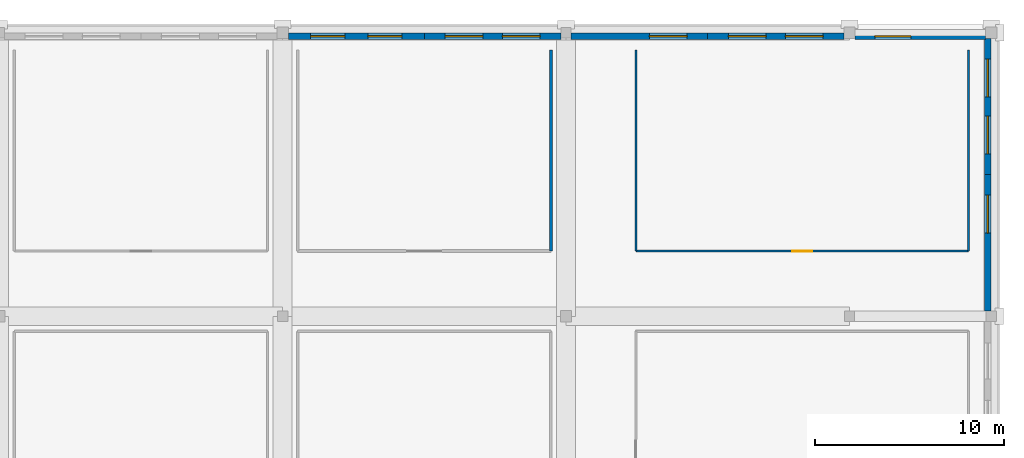
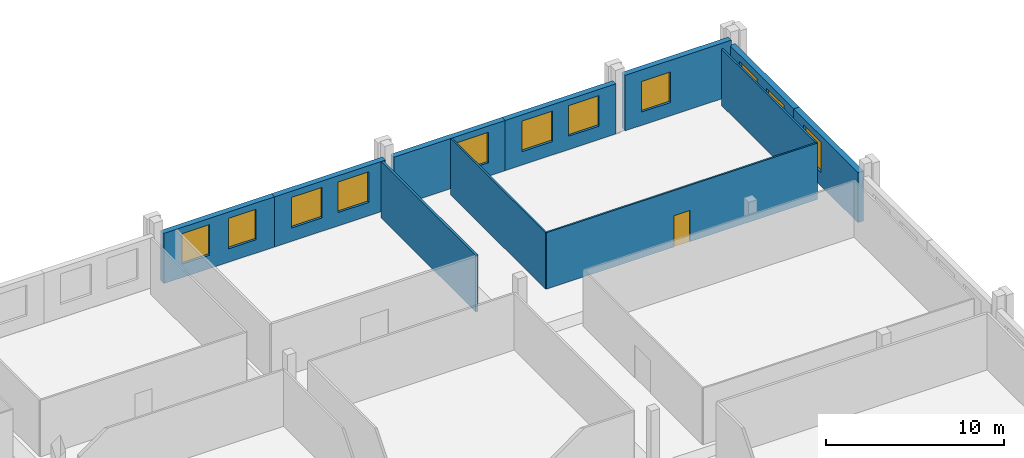
# One storey, part 55 of 68: 11 walls, 11 windows, 1 door, 12 openings.
"""IFC4 building model written with IfcOpenShell, lengths in metres."""

from ifc_helpers import new_model, si_unit, direction, frame, frame_2d, origin, place, context, subcontext, project, spatial, rectangle, extrude, material, layer, layer_set, type_object, element, fill, save


model = new_model("IFC4")

# Units and contexts
model_context = context("Model", 3, precision=1e-05, world=origin(), true_north=direction((0.0, 1.0)))
body_context = subcontext(model_context, "Body", "Model", "MODEL_VIEW")
ifc_project = project(units=[si_unit("LENGTHUNIT", "METRE"), si_unit("AREAUNIT", "SQUARE_METRE"), si_unit("VOLUMEUNIT", "CUBIC_METRE"), si_unit("PLANEANGLEUNIT", "RADIAN"), si_unit("MASSUNIT", "GRAM", prefix="KILO")], contexts=[model_context])

# Site, building, storey
site_placement = place(None, origin())
site = spatial("IfcSite", under=ifc_project, at=site_placement, CompositionType="ELEMENT")
building_placement = place(site_placement, origin())
building = spatial("IfcBuilding", under=site, at=building_placement, Name="Akrevak Sports Hall", CompositionType="ELEMENT")
storey_placement = place(building_placement, frame((0.0, 0.0, 9.39990234375)))
storey = spatial("IfcBuildingStorey", under=building, at=storey_placement, Name="L02", CompositionType="ELEMENT", Elevation=9.39990234375)

# Wall, openings, windows
ifc_material_1 = material(Name="Limestone Ashlar", Category="stone")
ifc_layer_1 = layer(ifc_material_1, 0.080078125, Name="Limestone Ashlar")
ifc_material_2 = material(Name="Mineral Wool Thermal Insulation", Category="insulation")
ifc_layer_2 = layer(ifc_material_2, 0.10009765625, Name="Mineral Wool Thermal Insulation")
ifc_material_3 = material(Name="Concrete C40/50", Category="concrete")
ifc_layer_3 = layer(ifc_material_3, 0.179931640625, Name="Concrete C40/50")
ifc_layer_set_1 = layer_set([ifc_layer_1, ifc_layer_2, ifc_layer_3], Name="Limestone Ashlar / Mineral Wool Thermal Insulation / Concrete C40/50")
wall_type_1 = type_object("IfcWallType", Name="ARC-WL-EXT-360", PredefinedType="SOLIDWALL", material=ifc_layer_set_1)
wall_1_placement = place(storey_placement, frame((138.0, 113.820068359375, 0.0), z_axis=(0.0, 0.0, 1.0), x_axis=(-1.0, 0.0, 0.0)))
wall_1 = element("IfcWall", 1, at=wall_1_placement, inside=storey, type_object=wall_type_1, Name="Exterior Limestone Wall L02-N18", PredefinedType="SOLIDWALL", context=body_context, shape_type="SweptSolid", body=[
    extrude(rectangle(XDim=7.199951171875, YDim=0.360107421875, at=frame_2d((3.60009765625, 0.0))), origin(), (0.0, 0.0, 1.0), 3.4501953125),
])
opening_1_placement = place(wall_1_placement, frame((4.2119140625, 0.0, 0.919921875)))
opening_1 = element("IfcOpeningElement", 2, at=opening_1_placement, cuts=wall_1, Name="Opening WN-37", PredefinedType="OPENING", context=body_context, shape_type="SweptSolid", body=[
    extrude(rectangle(XDim=1.800048828125, YDim=2.10009765625, at=frame_2d((0.89990234375, 1.050048828125))), frame((0.0, 0.19189453125, 0.0), z_axis=(0.0, -1.0, 0.0), x_axis=(1.0, 0.0, 0.0)), (0.0, 0.0, 1.0), 0.384033203125),
])
opening_2_placement = place(wall_1_placement, frame((1.18798828125, 0.0, 0.919921875)))
opening_2 = element("IfcOpeningElement", 3, at=opening_2_placement, cuts=wall_1, Name="Opening WN-37", PredefinedType="OPENING", context=body_context, shape_type="SweptSolid", body=[
    extrude(rectangle(XDim=1.800048828125, YDim=2.10009765625, at=frame_2d((0.89990234375, 1.050048828125))), frame((0.0, 0.19189453125, 0.0), z_axis=(0.0, -1.0, 0.0), x_axis=(1.0, 0.0, 0.0)), (0.0, 0.0, 1.0), 0.384033203125),
])
ifc_material_4 = material(Name="Thermally Broken Bronze Frame & Double Low-E Glass", Category="glass")
window_type_1 = type_object("IfcWindowType", Name="ARC-WIN-SZ-1800x2100", PartitioningType="SINGLE_PANEL", PredefinedType="WINDOW", material=ifc_material_4)
window_1_placement = place(opening_1_placement, origin())
window_1 = element("IfcWindow", 4, at=window_1_placement, inside=storey, type_object=window_type_1, Name="Beaux-Arts Facade Window WIN-L02-N18-1", OverallHeight=2.10009765625, OverallWidth=1.800048828125, PartitioningType="SINGLE_PANEL", PredefinedType="WINDOW", context=body_context, shape_type="SweptSolid", body=[
    extrude(rectangle(XDim=1.800048828125, YDim=2.10009765625, at=frame_2d((0.89990234375, 1.050048828125))), frame((0.0, 0.030029296875, 0.0), z_axis=(0.0, -1.0, 0.0), x_axis=(1.0, 0.0, 0.0)), (0.0, 0.0, 1.0), 0.06005859375),
])
fill(opening_1, window_1)
window_2_placement = place(opening_2_placement, origin())
window_2 = element("IfcWindow", 5, at=window_2_placement, inside=storey, type_object=window_type_1, Name="Beaux-Arts Facade Window WIN-L02-N18-2", OverallHeight=2.10009765625, OverallWidth=1.800048828125, PartitioningType="SINGLE_PANEL", PredefinedType="WINDOW", context=body_context, shape_type="SweptSolid", body=[
    extrude(rectangle(XDim=1.800048828125, YDim=2.10009765625, at=frame_2d((0.89990234375, 1.050048828125))), frame((0.0, 0.030029296875, 0.0), z_axis=(0.0, -1.0, 0.0), x_axis=(1.0, 0.0, 0.0)), (0.0, 0.0, 1.0), 0.06005859375),
])
fill(opening_2, window_2)

wall_2_placement = place(storey_placement, frame((145.22509765625, 113.820068359375, 0.0), z_axis=(0.0, 0.0, 1.0), x_axis=(-1.0, 0.0, 0.0)))
wall_2 = element("IfcWall", 6, at=wall_2_placement, inside=storey, type_object=wall_type_1, Name="Exterior Limestone Wall L02-N19", PredefinedType="SOLIDWALL", context=body_context, shape_type="SweptSolid", body=[
    extrude(rectangle(XDim=7.22509765625, YDim=0.360107421875, at=frame_2d((3.612548828125, 0.0))), origin(), (0.0, 0.0, 1.0), 3.4501953125),
])
opening_3_placement = place(wall_2_placement, frame((4.1298828125, 0.0, 0.919921875)))
opening_3 = element("IfcOpeningElement", 7, at=opening_3_placement, cuts=wall_2, Name="Opening WN-36", PredefinedType="OPENING", context=body_context, shape_type="SweptSolid", body=[
    extrude(rectangle(XDim=2.0, YDim=2.10009765625, at=frame_2d((1.0, 1.050048828125))), frame((0.0, 0.19189453125, 0.0), z_axis=(0.0, -1.0, 0.0), x_axis=(1.0, 0.0, 0.0)), (0.0, 0.0, 1.0), 0.384033203125),
])
opening_4_placement = place(wall_2_placement, frame((1.09521484375, 0.0, 0.919921875)))
opening_4 = element("IfcOpeningElement", 8, at=opening_4_placement, cuts=wall_2, Name="Opening WN-36", PredefinedType="OPENING", context=body_context, shape_type="SweptSolid", body=[
    extrude(rectangle(XDim=2.0, YDim=2.10009765625, at=frame_2d((1.0, 1.050048828125))), frame((0.0, 0.19189453125, 0.0), z_axis=(0.0, -1.0, 0.0), x_axis=(1.0, 0.0, 0.0)), (0.0, 0.0, 1.0), 0.384033203125),
])
window_type_2 = type_object("IfcWindowType", Name="ARC-WIN-SZ-2000x2100", PartitioningType="SINGLE_PANEL", PredefinedType="WINDOW", material=ifc_material_4)
window_3_placement = place(opening_3_placement, origin())
window_3 = element("IfcWindow", 9, at=window_3_placement, inside=storey, type_object=window_type_2, Name="Beaux-Arts Facade Window WIN-L02-N19-1", OverallHeight=2.10009765625, OverallWidth=2.0, PartitioningType="SINGLE_PANEL", PredefinedType="WINDOW", context=body_context, shape_type="SweptSolid", body=[
    extrude(rectangle(XDim=2.0, YDim=2.10009765625, at=frame_2d((1.0, 1.050048828125))), frame((0.0, 0.030029296875, 0.0), z_axis=(0.0, -1.0, 0.0), x_axis=(1.0, 0.0, 0.0)), (0.0, 0.0, 1.0), 0.06005859375),
])
fill(opening_3, window_3)
window_4_placement = place(opening_4_placement, origin())
window_4 = element("IfcWindow", 10, at=window_4_placement, inside=storey, type_object=window_type_2, Name="Beaux-Arts Facade Window WIN-L02-N19-2", OverallHeight=2.10009765625, OverallWidth=2.0, PartitioningType="SINGLE_PANEL", PredefinedType="WINDOW", context=body_context, shape_type="SweptSolid", body=[
    extrude(rectangle(XDim=2.0, YDim=2.10009765625, at=frame_2d((1.0, 1.050048828125))), frame((0.0, 0.030029296875, 0.0), z_axis=(0.0, -1.0, 0.0), x_axis=(1.0, 0.0, 0.0)), (0.0, 0.0, 1.0), 0.06005859375),
])
fill(opening_4, window_4)

# Wall, opening, window
wall_3_placement = place(storey_placement, frame((153.0, 113.820068359375, 0.0), z_axis=(0.0, 0.0, 1.0), x_axis=(-1.0, 0.0, 0.0)))
wall_3 = element("IfcWall", 11, at=wall_3_placement, inside=storey, type_object=wall_type_1, Name="Exterior Limestone Wall L02-N20", PredefinedType="SOLIDWALL", context=body_context, shape_type="SweptSolid", body=[
    extrude(rectangle(XDim=7.22509765625, YDim=0.360107421875, at=frame_2d((3.612548828125, 0.0))), origin(), (0.0, 0.0, 1.0), 3.4501953125),
])
opening_5_placement = place(wall_3_placement, frame((1.09521484375, 0.0, 0.919921875)))
opening_5 = element("IfcOpeningElement", 12, at=opening_5_placement, cuts=wall_3, Name="Opening WN-36", PredefinedType="OPENING", context=body_context, shape_type="SweptSolid", body=[
    extrude(rectangle(XDim=2.0, YDim=2.10009765625, at=frame_2d((1.0, 1.050048828125))), frame((0.0, 0.19189453125, 0.0), z_axis=(0.0, -1.0, 0.0), x_axis=(1.0, 0.0, 0.0)), (0.0, 0.0, 1.0), 0.384033203125),
])
window_5_placement = place(opening_5_placement, origin())
window_5 = element("IfcWindow", 13, at=window_5_placement, inside=storey, type_object=window_type_2, Name="Beaux-Arts Facade Window WIN-L02-N20-2", OverallHeight=2.10009765625, OverallWidth=2.0, PartitioningType="SINGLE_PANEL", PredefinedType="WINDOW", context=body_context, shape_type="SweptSolid", body=[
    extrude(rectangle(XDim=2.0, YDim=2.10009765625, at=frame_2d((1.0, 1.050048828125))), frame((0.0, 0.030029296875, 0.0), z_axis=(0.0, -1.0, 0.0), x_axis=(1.0, 0.0, 0.0)), (0.0, 0.0, 1.0), 0.06005859375),
])
fill(opening_5, window_5)

# Wall, openings, windows
wall_4_placement = place(storey_placement, frame((160.199951171875, 113.820068359375, 0.0), z_axis=(0.0, 0.0, 1.0), x_axis=(-1.0, 0.0, 0.0)))
wall_4 = element("IfcWall", 14, at=wall_4_placement, inside=storey, type_object=wall_type_1, Name="Exterior Limestone Wall L02-N21", PredefinedType="SOLIDWALL", context=body_context, shape_type="SweptSolid", body=[
    extrude(rectangle(XDim=7.199951171875, YDim=0.360107421875, at=frame_2d((3.60009765625, 0.0))), origin(), (0.0, 0.0, 1.0), 3.4501953125),
])
opening_6_placement = place(wall_4_placement, frame((4.112060546875, 0.0, 0.919921875)))
opening_6 = element("IfcOpeningElement", 15, at=opening_6_placement, cuts=wall_4, Name="Opening WN-36", PredefinedType="OPENING", context=body_context, shape_type="SweptSolid", body=[
    extrude(rectangle(XDim=2.0, YDim=2.10009765625, at=frame_2d((1.0, 1.050048828125))), frame((0.0, 0.19189453125, 0.0), z_axis=(0.0, -1.0, 0.0), x_axis=(1.0, 0.0, 0.0)), (0.0, 0.0, 1.0), 0.384033203125),
])
opening_7_placement = place(wall_4_placement, frame((1.087890625, 0.0, 0.919921875)))
opening_7 = element("IfcOpeningElement", 16, at=opening_7_placement, cuts=wall_4, Name="Opening WN-36", PredefinedType="OPENING", context=body_context, shape_type="SweptSolid", body=[
    extrude(rectangle(XDim=2.0, YDim=2.10009765625, at=frame_2d((1.0, 1.050048828125))), frame((0.0, 0.19189453125, 0.0), z_axis=(0.0, -1.0, 0.0), x_axis=(1.0, 0.0, 0.0)), (0.0, 0.0, 1.0), 0.384033203125),
])
window_6_placement = place(opening_6_placement, origin())
window_6 = element("IfcWindow", 17, at=window_6_placement, inside=storey, type_object=window_type_2, Name="Beaux-Arts Facade Window WIN-L02-N21-1", OverallHeight=2.10009765625, OverallWidth=2.0, PartitioningType="SINGLE_PANEL", PredefinedType="WINDOW", context=body_context, shape_type="SweptSolid", body=[
    extrude(rectangle(XDim=2.0, YDim=2.10009765625, at=frame_2d((1.0, 1.050048828125))), frame((0.0, 0.030029296875, 0.0), z_axis=(0.0, -1.0, 0.0), x_axis=(1.0, 0.0, 0.0)), (0.0, 0.0, 1.0), 0.06005859375),
])
fill(opening_6, window_6)
window_7_placement = place(opening_7_placement, origin())
window_7 = element("IfcWindow", 18, at=window_7_placement, inside=storey, type_object=window_type_2, Name="Beaux-Arts Facade Window WIN-L02-N21-2", OverallHeight=2.10009765625, OverallWidth=2.0, PartitioningType="SINGLE_PANEL", PredefinedType="WINDOW", context=body_context, shape_type="SweptSolid", body=[
    extrude(rectangle(XDim=2.0, YDim=2.10009765625, at=frame_2d((1.0, 1.050048828125))), frame((0.0, 0.030029296875, 0.0), z_axis=(0.0, -1.0, 0.0), x_axis=(1.0, 0.0, 0.0)), (0.0, 0.0, 1.0), 0.06005859375),
])
fill(opening_7, window_7)

# Wall, opening, window
wall_5_placement = place(storey_placement, frame((167.699951171875, 113.820068359375, 0.0), z_axis=(0.0, 0.0, 1.0), x_axis=(-1.0, 0.0, 0.0)))
wall_5 = element("IfcWall", 19, at=wall_5_placement, inside=storey, type_object=wall_type_1, Name="Exterior Limestone Wall L02-N22", PredefinedType="SOLIDWALL", context=body_context, shape_type="SweptSolid", body=[
    extrude(rectangle(XDim=6.89990234375, YDim=0.360107421875, at=frame_2d((3.449951171875, 0.0))), origin(), (0.0, 0.0, 1.0), 3.820068359375),
])
opening_8_placement = place(wall_5_placement, frame((3.948974609375, 0.0, 0.919921875)))
opening_8 = element("IfcOpeningElement", 20, at=opening_8_placement, cuts=wall_5, Name="Opening WN-38", PredefinedType="OPENING", context=body_context, shape_type="SweptSolid", body=[
    extrude(rectangle(XDim=1.89990234375, YDim=2.10009765625, at=frame_2d((0.949951171875, 1.050048828125))), frame((0.0, 0.19189453125, 0.0), z_axis=(0.0, -1.0, 0.0), x_axis=(1.0, 0.0, 0.0)), (0.0, 0.0, 1.0), 0.384033203125),
])
window_type_3 = type_object("IfcWindowType", Name="ARC-WIN-SZ-1900x2100", PartitioningType="SINGLE_PANEL", PredefinedType="WINDOW", material=ifc_material_4)
window_8_placement = place(opening_8_placement, origin())
window_8 = element("IfcWindow", 21, at=window_8_placement, inside=storey, type_object=window_type_3, Name="Beaux-Arts Facade Window WIN-L02-N22-1", OverallHeight=2.10009765625, OverallWidth=1.89990234375, PartitioningType="SINGLE_PANEL", PredefinedType="WINDOW", context=body_context, shape_type="SweptSolid", body=[
    extrude(rectangle(XDim=1.89990234375, YDim=2.10009765625, at=frame_2d((0.949951171875, 1.050048828125))), frame((0.0, 0.030029296875, 0.0), z_axis=(0.0, -1.0, 0.0), x_axis=(1.0, 0.0, 0.0)), (0.0, 0.0, 1.0), 0.06005859375),
])
fill(opening_8, window_8)

wall_6_placement = place(storey_placement, frame((167.820068359375, 99.27490234375, 0.0), z_axis=(0.0, 0.0, 1.0), x_axis=(0.0, 1.0, 0.0)))
wall_6 = element("IfcWall", 22, at=wall_6_placement, inside=storey, type_object=wall_type_1, Name="Exterior Limestone Wall L02-E15", PredefinedType="SOLIDWALL", context=body_context, shape_type="SweptSolid", body=[
    extrude(rectangle(XDim=7.22509765625, YDim=0.360107421875, at=frame_2d((3.612548828125, 0.0))), origin(), (0.0, 0.0, 1.0), 3.4501953125),
])
opening_9_placement = place(wall_6_placement, frame((4.1298828125, 0.0, 0.919921875)))
opening_9 = element("IfcOpeningElement", 23, at=opening_9_placement, cuts=wall_6, Name="Opening WN-36", PredefinedType="OPENING", context=body_context, shape_type="SweptSolid", body=[
    extrude(rectangle(XDim=2.0, YDim=2.10009765625, at=frame_2d((1.0, 1.050048828125))), frame((0.0, 0.19189453125, 0.0), z_axis=(0.0, -1.0, 0.0), x_axis=(1.0, 0.0, 0.0)), (0.0, 0.0, 1.0), 0.384033203125),
])
window_9_placement = place(opening_9_placement, origin())
window_9 = element("IfcWindow", 24, at=window_9_placement, inside=storey, type_object=window_type_2, Name="Beaux-Arts Facade Window WIN-L02-E15-2", OverallHeight=2.10009765625, OverallWidth=2.0, PartitioningType="SINGLE_PANEL", PredefinedType="WINDOW", context=body_context, shape_type="SweptSolid", body=[
    extrude(rectangle(XDim=2.0, YDim=2.10009765625, at=frame_2d((1.0, 1.050048828125))), frame((0.0, 0.030029296875, 0.0), z_axis=(0.0, -1.0, 0.0), x_axis=(1.0, 0.0, 0.0)), (0.0, 0.0, 1.0), 0.06005859375),
])
fill(opening_9, window_9)

# Wall, openings, windows
wall_7_placement = place(storey_placement, frame((167.820068359375, 106.5, 0.0), z_axis=(0.0, 0.0, 1.0), x_axis=(0.0, 1.0, 0.0)))
wall_7 = element("IfcWall", 25, at=wall_7_placement, inside=storey, type_object=wall_type_1, Name="Exterior Limestone Wall L02-E16", PredefinedType="SOLIDWALL", context=body_context, shape_type="SweptSolid", body=[
    extrude(rectangle(XDim=7.199951171875, YDim=0.360107421875, at=frame_2d((3.60009765625, 0.0))), origin(), (0.0, 0.0, 1.0), 3.4501953125),
])
opening_10_placement = place(wall_7_placement, frame((1.087890625, 0.0, 0.919921875)))
opening_10 = element("IfcOpeningElement", 26, at=opening_10_placement, cuts=wall_7, Name="Opening WN-36", PredefinedType="OPENING", context=body_context, shape_type="SweptSolid", body=[
    extrude(rectangle(XDim=2.0, YDim=2.10009765625, at=frame_2d((1.0, 1.050048828125))), frame((0.0, 0.19189453125, 0.0), z_axis=(0.0, -1.0, 0.0), x_axis=(1.0, 0.0, 0.0)), (0.0, 0.0, 1.0), 0.384033203125),
])
opening_11_placement = place(wall_7_placement, frame((4.112060546875, 0.0, 0.919921875)))
opening_11 = element("IfcOpeningElement", 27, at=opening_11_placement, cuts=wall_7, Name="Opening WN-36", PredefinedType="OPENING", context=body_context, shape_type="SweptSolid", body=[
    extrude(rectangle(XDim=2.0, YDim=2.10009765625, at=frame_2d((1.0, 1.050048828125))), frame((0.0, 0.19189453125, 0.0), z_axis=(0.0, -1.0, 0.0), x_axis=(1.0, 0.0, 0.0)), (0.0, 0.0, 1.0), 0.384033203125),
])
window_10_placement = place(opening_10_placement, origin())
window_10 = element("IfcWindow", 28, at=window_10_placement, inside=storey, type_object=window_type_2, Name="Beaux-Arts Facade Window WIN-L02-E16-1", OverallHeight=2.10009765625, OverallWidth=2.0, PartitioningType="SINGLE_PANEL", PredefinedType="WINDOW", context=body_context, shape_type="SweptSolid", body=[
    extrude(rectangle(XDim=2.0, YDim=2.10009765625, at=frame_2d((1.0, 1.050048828125))), frame((0.0, 0.030029296875, 0.0), z_axis=(0.0, -1.0, 0.0), x_axis=(1.0, 0.0, 0.0)), (0.0, 0.0, 1.0), 0.06005859375),
])
fill(opening_10, window_10)
window_11_placement = place(opening_11_placement, origin())
window_11 = element("IfcWindow", 29, at=window_11_placement, inside=storey, type_object=window_type_2, Name="Beaux-Arts Facade Window WIN-L02-E16-2", OverallHeight=2.10009765625, OverallWidth=2.0, PartitioningType="SINGLE_PANEL", PredefinedType="WINDOW", context=body_context, shape_type="SweptSolid", body=[
    extrude(rectangle(XDim=2.0, YDim=2.10009765625, at=frame_2d((1.0, 1.050048828125))), frame((0.0, 0.030029296875, 0.0), z_axis=(0.0, -1.0, 0.0), x_axis=(1.0, 0.0, 0.0)), (0.0, 0.0, 1.0), 0.06005859375),
])
fill(opening_11, window_11)

# Wall, opening, door
ifc_material_5 = material(Name="Lightweight Office Partition", Category="gypsum")
ifc_layer_4 = layer(ifc_material_5, 0.110107421875, Name="Lightweight Office Partition")
ifc_layer_set_2 = layer_set([ifc_layer_4], Name="Lightweight Office Partition")
wall_type_2 = type_object("IfcWallType", Name="ARC-WL-PRT-110", PredefinedType="PARTITIONING", material=ifc_layer_set_2)
wall_8_placement = place(storey_placement, frame((149.199951171875, 102.449951171875, 0.0), z_axis=(0.0, 0.0, 1.0), x_axis=(1.0, 0.0, 0.0)))
wall_8 = element("IfcWall", 30, at=wall_8_placement, inside=storey, type_object=wall_type_2, Name="Interior Partition Federation Officiating & Records Office L02-12 (S)", PredefinedType="PARTITIONING", context=body_context, shape_type="SweptSolid", body=[
    extrude(rectangle(XDim=17.60009765625, YDim=0.110107421875, at=frame_2d((8.800048828125, 0.0))), origin(), (0.0, 0.0, 1.0), 3.880126953125),
])
opening_12_placement = place(wall_8_placement, frame((8.27490234375, 0.0, 0.0)))
opening_12 = element("IfcOpeningElement", 31, at=opening_12_placement, cuts=wall_8, Name="Opening ID-05", PredefinedType="OPENING", context=body_context, shape_type="SweptSolid", body=[
    extrude(rectangle(XDim=1.050048828125, YDim=2.14990234375, at=frame_2d((0.52490234375, 1.074951171875))), frame((0.0, 0.06689453125, 0.0), z_axis=(0.0, -1.0, 0.0), x_axis=(1.0, 0.0, 0.0)), (0.0, 0.0, 1.0), 0.134033203125),
])
ifc_material_6 = material(Name="Hardwood Oak Acoustic Leaf", Category="wood")
door_type = type_object("IfcDoorType", Name="ARC-DR-OFF-105x215", OperationType="NOTDEFINED", PredefinedType="DOOR", material=ifc_material_6)
door_placement = place(opening_12_placement, frame((1.050048828125, 0.0, 0.0), z_axis=(0.0, 0.0, 1.0), x_axis=(-1.0, 0.0, 0.0)))
door = element("IfcDoor", 32, at=door_placement, inside=storey, type_object=door_type, Name="Door to Federation Officiating & Records Office L02-12", OperationType="SINGLE_SWING_RIGHT", OverallHeight=2.14990234375, OverallWidth=1.050048828125, PredefinedType="DOOR", context=body_context, shape_type="SweptSolid", body=[
    extrude(rectangle(XDim=1.050048828125, YDim=2.14990234375, at=frame_2d((0.52490234375, 1.074951171875))), frame((0.0, 0.02490234375, 0.0), z_axis=(0.0, -1.0, 0.0), x_axis=(1.0, 0.0, 0.0)), (0.0, 0.0, 1.0), 0.050048828125),
])
fill(opening_12, door)

# Walls
for number, where, z_axis, x_axis, name in (
    (33, (149.199951171875, 102.449951171875, 0.0), (0.0, 0.0, 1.0), (0.0, 1.0, 0.0), "Interior Partition Federation Officiating & Records Office L02-12 (W)"),
    (34, (166.800048828125, 102.449951171875, 0.0), (0.0, 0.0, 1.0), (0.0, 1.0, 0.0), "Interior Partition Federation Officiating & Records Office L02-12 (E)"),
):
    element("IfcWall", number, at=place(storey_placement, frame(where, z_axis=z_axis, x_axis=x_axis)), inside=storey, type_object=wall_type_2, Name=name, PredefinedType="PARTITIONING", context=body_context, shape_type="SweptSolid", body=[
        extrude(rectangle(XDim=10.650146484375, YDim=0.110107421875, at=frame_2d((5.3251953125, 0.0))), origin(), (0.0, 0.0, 1.0), 3.880126953125),
    ])
ifc_material_7 = material(Name="Double Stud Acoustic Gypsum Partition", Category="gypsum")
ifc_layer_5 = layer(ifc_material_7, 0.14990234375, Name="Double Stud Acoustic Gypsum Partition")
ifc_layer_set_3 = layer_set([ifc_layer_5], Name="Double Stud Acoustic Gypsum Partition")
wall_type_3 = type_object("IfcWallType", Name="ARC-WL-PRT-150", PredefinedType="PARTITIONING", material=ifc_layer_set_3)
wall_9_placement = place(storey_placement, frame((144.699951171875, 102.449951171875, 0.0), z_axis=(0.0, 0.0, 1.0), x_axis=(0.0, 1.0, 0.0)))
element("IfcWall", 35, at=wall_9_placement, inside=storey, type_object=wall_type_3, Name="Interior Partition Competition Equipment Storage L02-11 (E)", PredefinedType="PARTITIONING", context=body_context, shape_type="SweptSolid", body=[
    extrude(rectangle(XDim=10.650146484375, YDim=0.14990234375, at=frame_2d((5.3251953125, 0.0))), origin(), (0.0, 0.0, 1.0), 3.880126953125),
])

save(model, "model.ifc")
